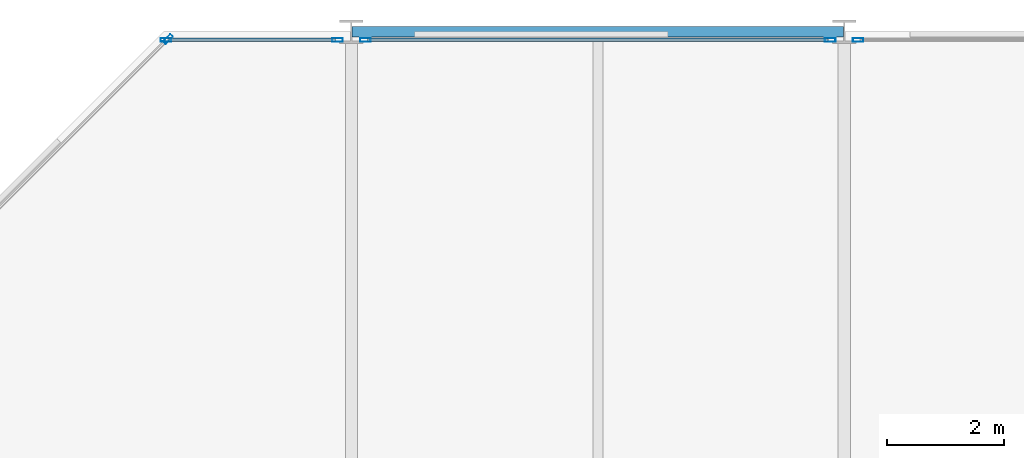
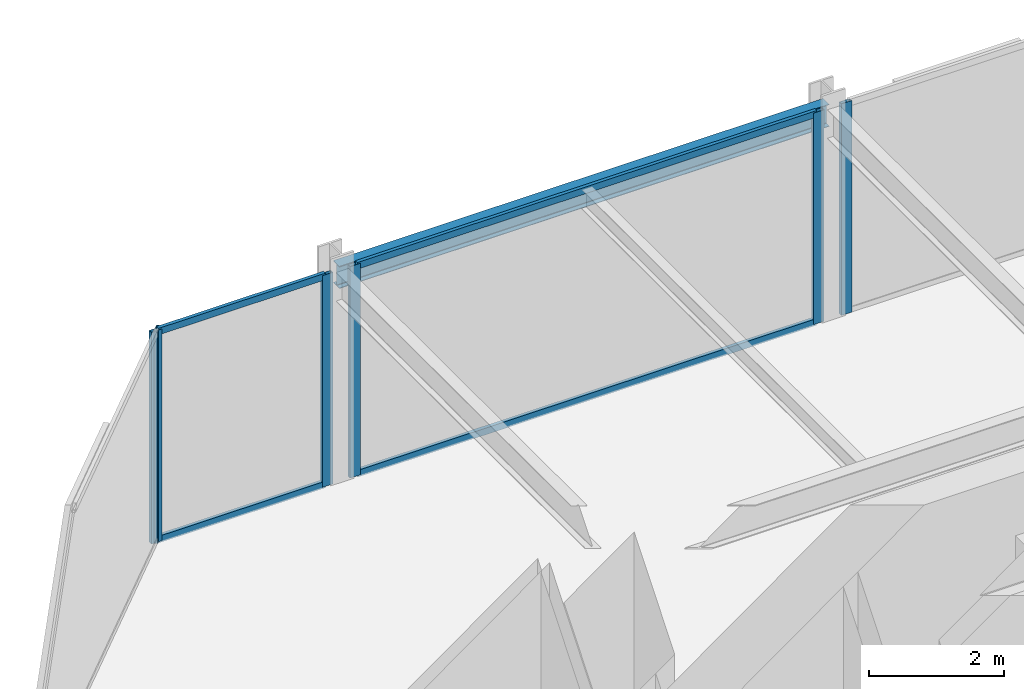
# One storey, part 21 of 29: 10 members, 1 beam, 4 elements without a shape of their own.
"""IFC4 building model written with IfcOpenShell, lengths in metres."""

from ifc_helpers import new_model, si_unit, direction, frame, origin, origin_2d, place, context, subcontext, project, spatial, hollow_rectangle, i_section, extrude, material, layer, layer_set, material_profile, profile_set, type_object, element, aggregate, save


model = new_model("IFC4")

# Units and contexts
model_context = context("Model", 3, precision=1e-05, world=origin(), true_north=direction((0.0, 1.0)))
body_context = subcontext(model_context, "Body", "Model", "MODEL_VIEW")
ifc_project = project(units=[si_unit("LENGTHUNIT", "METRE"), si_unit("AREAUNIT", "SQUARE_METRE"), si_unit("VOLUMEUNIT", "CUBIC_METRE"), si_unit("PLANEANGLEUNIT", "RADIAN"), si_unit("MASSUNIT", "GRAM", prefix="KILO")], contexts=[model_context])

# Site, building, storey
site_placement = place(None, origin())
site = spatial("IfcSite", under=ifc_project, at=site_placement, CompositionType="ELEMENT")
building_placement = place(site_placement, origin())
building = spatial("IfcBuilding", under=site, at=building_placement, Name="Nerrivon Quay Data Exchange", CompositionType="ELEMENT")
storey_placement = place(building_placement, frame((0.0, 0.0, 133.60009765625)))
storey = spatial("IfcBuildingStorey", under=building, at=storey_placement, Name="L31", CompositionType="ELEMENT", Elevation=133.60009765625)

# Beam
ifc_material_1 = material(Name="Steel Grade 350", Category="steel")
ifc_material_profile_1 = material_profile(ifc_material_1, i_section(OverallWidth=0.177978515625, OverallDepth=0.403076171875, WebThickness=0.007568359375, FlangeThickness=0.010986328125, FilletRadius=0.011474609375, at=origin_2d()), Name="410UB53.7")
ifc_profile_set_1 = profile_set([ifc_material_profile_1], Name="Steel Grade 350")
beam_type = type_object("IfcBeamType", Name="BM-SP2-410UB54", PredefinedType="SPANDREL", material=ifc_profile_set_1)
beam_placement = place(storey_placement, frame((8.41259765625, 50.39990234375, 3.623291015625), z_axis=(1.0, 0.0, 0.0), x_axis=(0.0, 1.0, 0.0)))
element("IfcBeam", 1, at=beam_placement, inside=storey, type_object=beam_type, Name="L31 EW Girder Y=50.4 (8.4..16.8)", PredefinedType="SPANDREL", context=body_context, shape_type="SweptSolid", body=[
    extrude(i_section(OverallWidth=0.177978515625, OverallDepth=0.403076171875, WebThickness=0.007568359375, FlangeThickness=0.010986328125, FilletRadius=0.011474609375, at=origin_2d()), origin(), (0.0, 0.0, 1.0), 8.375),
])

# Curtain wall, member
ifc_material_2 = material(Name="Anodised aluminium 6063-T6", Category="aluminium")
ifc_layer = layer(ifc_material_2, 0.2099609375)
ifc_layer_set = layer_set([ifc_layer], Name="Anodised aluminium 6063-T6")
curtain_wall_type = type_object("IfcCurtainWallType", Name="CW-SYS-02", PredefinedType="NOTDEFINED", material=ifc_layer_set)
curtain_wall_1_placement = place(storey_placement, origin())
curtain_wall_1 = element("IfcCurtainWall", 2, at=curtain_wall_1_placement, inside=storey, type_object=curtain_wall_type, Name="L31 Unitised Curtain Wall 17", PredefinedType="NOTDEFINED")
ifc_material_profile_2 = material_profile(ifc_material_2, hollow_rectangle(XDim=0.06494140625, YDim=0.179931640625, WallThickness=0.00341796875, at=origin_2d()), Name="ALU-MULL-180x65")
ifc_profile_set_2 = profile_set([ifc_material_profile_2], Name="Anodised aluminium 6063-T6")
member_type_1 = type_object("IfcMemberType", Name="CWM-180x65", PredefinedType="MULLION", material=ifc_profile_set_2)
member_1_placement = place(storey_placement, frame((5.2724609375, 50.2744140625, 0.0), z_axis=(0.0, 0.0, 1.0), x_axis=(-0.707106781187, 0.707106781187, 0.0)))
member_1 = element("IfcMember", 3, at=member_1_placement, type_object=member_type_1, Name="CW02 mullion 2", PredefinedType="MULLION", context=body_context, shape_type="SweptSolid", body=[
    extrude(hollow_rectangle(XDim=0.06494140625, YDim=0.179931640625, WallThickness=0.00341796875, at=origin_2d()), origin(), (0.0, 0.0, 1.0), 3.824951171875),
])
aggregate(curtain_wall_1, [member_1])

# Curtain wall, members
curtain_wall_2_placement = place(storey_placement, origin())
curtain_wall_2 = element("IfcCurtainWall", 4, at=curtain_wall_2_placement, inside=storey, type_object=curtain_wall_type, Name="L31 Unitised Curtain Wall 18", PredefinedType="NOTDEFINED")
member_2_placement = place(storey_placement, frame((5.237548828125, 50.260009765625, 0.0), z_axis=(0.0, 0.0, 1.0), x_axis=(0.0, 1.0, 0.0)))
member_2 = element("IfcMember", 5, at=member_2_placement, type_object=member_type_1, Name="CW02 mullion 1", PredefinedType="MULLION", context=body_context, shape_type="SweptSolid", body=[
    extrude(hollow_rectangle(XDim=0.06494140625, YDim=0.179931640625, WallThickness=0.00341796875, at=origin_2d()), origin(), (0.0, 0.0, 1.0), 3.824951171875),
])
member_3_placement = place(storey_placement, frame((8.16259765625, 50.260009765625, 0.0), z_axis=(0.0, 0.0, 1.0), x_axis=(0.0, 1.0, 0.0)))
member_3 = element("IfcMember", 6, at=member_3_placement, type_object=member_type_1, Name="CW02 mullion 2", PredefinedType="MULLION", context=body_context, shape_type="SweptSolid", body=[
    extrude(hollow_rectangle(XDim=0.06494140625, YDim=0.179931640625, WallThickness=0.00341796875, at=origin_2d()), origin(), (0.0, 0.0, 1.0), 3.824951171875),
])

curtain_wall_3_placement = place(storey_placement, origin())
curtain_wall_3 = element("IfcCurtainWall", 7, at=curtain_wall_3_placement, inside=storey, type_object=curtain_wall_type, Name="L31 Unitised Curtain Wall 19", PredefinedType="NOTDEFINED")
member_4_placement = place(storey_placement, frame((8.637451171875, 50.260009765625, 0.0), z_axis=(0.0, 0.0, 1.0), x_axis=(0.0, 1.0, 0.0)))
member_4 = element("IfcMember", 8, at=member_4_placement, type_object=member_type_1, Name="CW02 mullion 1", PredefinedType="MULLION", context=body_context, shape_type="SweptSolid", body=[
    extrude(hollow_rectangle(XDim=0.06494140625, YDim=0.179931640625, WallThickness=0.00341796875, at=origin_2d()), origin(), (0.0, 0.0, 1.0), 3.824951171875),
])
member_5_placement = place(storey_placement, frame((16.5625, 50.260009765625, 0.0), z_axis=(0.0, 0.0, 1.0), x_axis=(0.0, 1.0, 0.0)))
member_5 = element("IfcMember", 9, at=member_5_placement, type_object=member_type_1, Name="CW02 mullion 2", PredefinedType="MULLION", context=body_context, shape_type="SweptSolid", body=[
    extrude(hollow_rectangle(XDim=0.06494140625, YDim=0.179931640625, WallThickness=0.00341796875, at=origin_2d()), origin(), (0.0, 0.0, 1.0), 3.824951171875),
])

# Curtain wall, member
curtain_wall_4_placement = place(storey_placement, origin())
curtain_wall_4 = element("IfcCurtainWall", 10, at=curtain_wall_4_placement, inside=storey, type_object=curtain_wall_type, Name="L31 Unitised Curtain Wall 20", PredefinedType="NOTDEFINED")
member_6_placement = place(storey_placement, frame((17.03759765625, 50.260009765625, 0.0), z_axis=(0.0, 0.0, 1.0), x_axis=(0.0, 1.0, 0.0)))
member_6 = element("IfcMember", 11, at=member_6_placement, type_object=member_type_1, Name="CW02 mullion 1", PredefinedType="MULLION", context=body_context, shape_type="SweptSolid", body=[
    extrude(hollow_rectangle(XDim=0.06494140625, YDim=0.179931640625, WallThickness=0.00341796875, at=origin_2d()), origin(), (0.0, 0.0, 1.0), 3.824951171875),
])
aggregate(curtain_wall_4, [member_6])

# Member
ifc_material_profile_3 = material_profile(ifc_material_2, hollow_rectangle(XDim=0.06005859375, YDim=0.1201171875, WallThickness=0.003173828125, at=origin_2d()), Name="ALU-TRAN-120x60")
ifc_profile_set_3 = profile_set([ifc_material_profile_3], Name="Anodised aluminium 6063-T6")
member_type_2 = type_object("IfcMemberType", Name="CWT-120x60", PredefinedType="USERDEFINED", material=ifc_profile_set_3)
member_7_placement = place(storey_placement, frame((5.27490234375, 50.260009765625, 0.032470703125), z_axis=(1.0, 0.0, 0.0), x_axis=(0.0, 1.0, 0.0)))
member_7 = element("IfcMember", 12, at=member_7_placement, type_object=member_type_2, Name="CW02 transom 1.1", ObjectType="TRANSOM", PredefinedType="USERDEFINED", context=body_context, shape_type="SweptSolid", body=[
    extrude(hollow_rectangle(XDim=0.06005859375, YDim=0.1201171875, WallThickness=0.003173828125, at=origin_2d()), origin(), (0.0, 0.0, 1.0), 2.85009765625),
])

member_8_placement = place(storey_placement, frame((5.27490234375, 50.260009765625, 3.79248046875), z_axis=(1.0, 0.0, 0.0), x_axis=(0.0, 1.0, 0.0)))
member_8 = element("IfcMember", 13, at=member_8_placement, type_object=member_type_2, Name="CW02 transom 1.2", ObjectType="TRANSOM", PredefinedType="USERDEFINED", context=body_context, shape_type="SweptSolid", body=[
    extrude(hollow_rectangle(XDim=0.06005859375, YDim=0.1201171875, WallThickness=0.003173828125, at=origin_2d()), origin(), (0.0, 0.0, 1.0), 2.85009765625),
])

aggregate(curtain_wall_2, [member_2, member_3, member_7, member_8])

member_9_placement = place(storey_placement, frame((8.675048828125, 50.260009765625, 0.032470703125), z_axis=(1.0, 0.0, 0.0), x_axis=(0.0, 1.0, 0.0)))
member_9 = element("IfcMember", 14, at=member_9_placement, type_object=member_type_2, Name="CW02 transom 1.1", ObjectType="TRANSOM", PredefinedType="USERDEFINED", context=body_context, shape_type="SweptSolid", body=[
    extrude(hollow_rectangle(XDim=0.06005859375, YDim=0.1201171875, WallThickness=0.003173828125, at=origin_2d()), origin(), (0.0, 0.0, 1.0), 7.849853515625),
])

member_10_placement = place(storey_placement, frame((8.675048828125, 50.260009765625, 3.79248046875), z_axis=(1.0, 0.0, 0.0), x_axis=(0.0, 1.0, 0.0)))
member_10 = element("IfcMember", 15, at=member_10_placement, type_object=member_type_2, Name="CW02 transom 1.2", ObjectType="TRANSOM", PredefinedType="USERDEFINED", context=body_context, shape_type="SweptSolid", body=[
    extrude(hollow_rectangle(XDim=0.06005859375, YDim=0.1201171875, WallThickness=0.003173828125, at=origin_2d()), origin(), (0.0, 0.0, 1.0), 7.849853515625),
])

aggregate(curtain_wall_3, [member_4, member_5, member_9, member_10])

save(model, "model.ifc")
